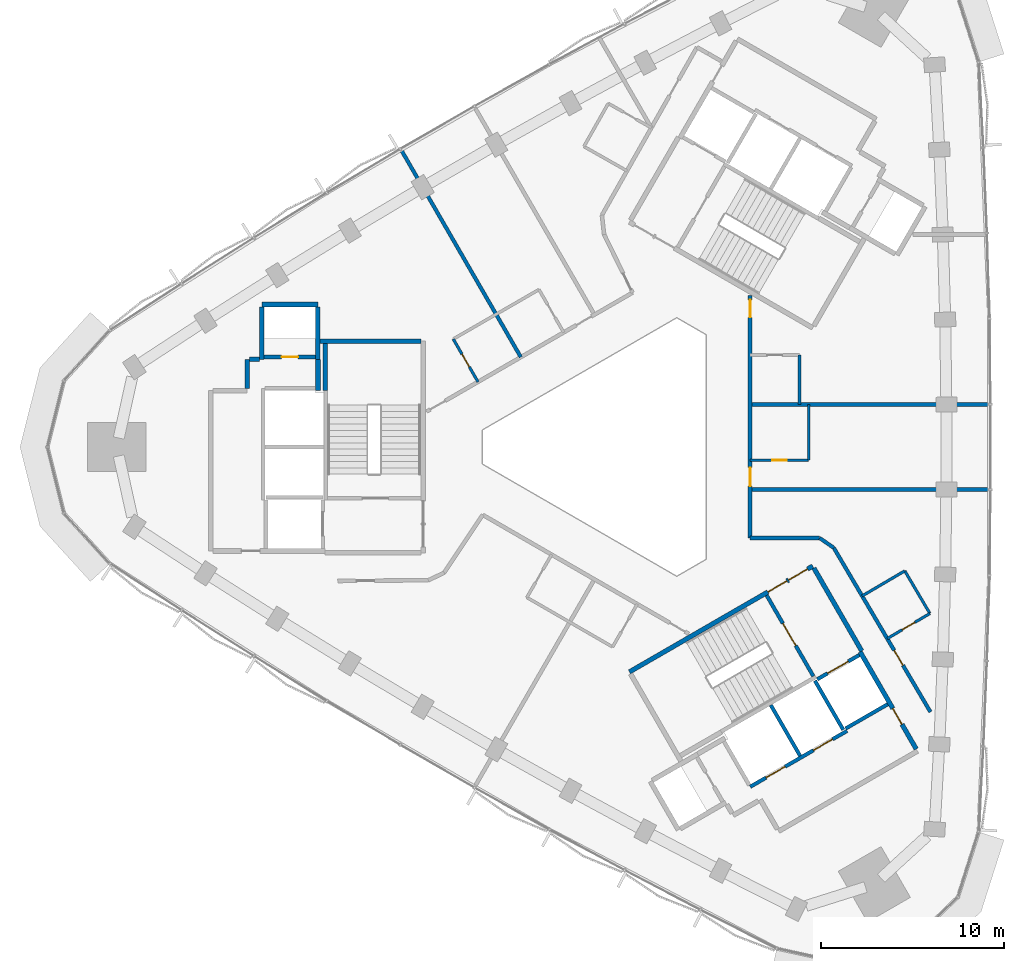
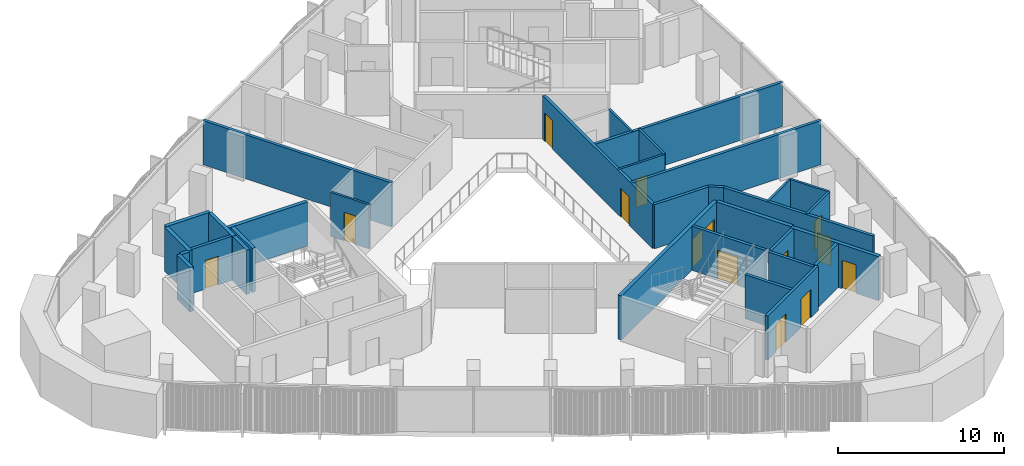
# One storey, part 8 of 13: 32 walls, 14 doors, 14 openings.
"""IFC4 building model written with IfcOpenShell, lengths in metres."""

from ifc_helpers import new_model, si_unit, direction, frame, frame_2d, origin, place, context, subcontext, project, spatial, rectangle, extrude, material, layer, layer_set, type_object, element, fill, save


model = new_model("IFC4")

# Units and contexts
model_context = context("Model", 3, precision=1e-05, world=origin(), true_north=direction((0.0, 1.0)))
body_context = subcontext(model_context, "Body", "Model", "MODEL_VIEW")
ifc_project = project(units=[si_unit("LENGTHUNIT", "METRE"), si_unit("AREAUNIT", "SQUARE_METRE"), si_unit("VOLUMEUNIT", "CUBIC_METRE"), si_unit("PLANEANGLEUNIT", "RADIAN"), si_unit("MASSUNIT", "GRAM", prefix="KILO")], contexts=[model_context])

# Site, building, storey
site_placement = place(None, origin())
site = spatial("IfcSite", under=ifc_project, at=site_placement, CompositionType="ELEMENT")
building_placement = place(site_placement, origin())
building = spatial("IfcBuilding", under=site, at=building_placement, Name="Tamra Quay Hotel Tower", CompositionType="ELEMENT")
storey_placement = place(building_placement, frame((0.0, 0.0, 193.60009765625)))
storey = spatial("IfcBuildingStorey", under=building, at=storey_placement, Name="L48", CompositionType="ELEMENT", Elevation=193.60009765625)

# Wall, opening, door
ifc_material_1 = material(Name="Concrete M70", Category="concrete")
ifc_layer_1 = layer(ifc_material_1, 0.199951171875)
ifc_layer_set_1 = layer_set([ifc_layer_1], Name="Concrete M70 core wall 200")
wall_type_1 = type_object("IfcWallType", Name="Concrete M70 core wall 200", PredefinedType="SHEAR", material=ifc_layer_set_1)
wall_1_placement = place(storey_placement, frame((-19.51123046875, 4.91015625, 0.0), z_axis=(0.0, 0.0, 1.0), x_axis=(1.0, 0.0, 0.0)))
wall_1 = element("IfcWall", 1, at=wall_1_placement, inside=storey, type_object=wall_type_1, Name="CW2", PredefinedType="SHEAR", context=body_context, shape_type="SweptSolid", body=[
    extrude(rectangle(XDim=2.7978515625, YDim=0.199951171875, at=frame_2d((1.39892578125, 0.0))), origin(), (0.0, 0.0, 1.0), 3.25),
])
opening_1_placement = place(wall_1_placement, frame((0.948974609375, 0.0, 0.0)))
opening_1 = element("IfcOpeningElement", 2, at=opening_1_placement, cuts=wall_1, Name="Opening D1", PredefinedType="OPENING", context=body_context, shape_type="SweptSolid", body=[
    extrude(rectangle(XDim=0.89990234375, YDim=2.10009765625, at=frame_2d((0.449951171875, 1.050048828125))), frame((0.0, 0.10986328125, 0.0), z_axis=(0.0, -1.0, 0.0), x_axis=(1.0, 0.0, 0.0)), (0.0, 0.0, 1.0), 0.219970703125),
])
ifc_material_2 = material(Name="Core door D1 900x2100 RH")
door_type_1 = type_object("IfcDoorType", Name="Core door D1 900x2100 RH", OperationType="NOTDEFINED", PredefinedType="DOOR", material=ifc_material_2)
door_1_placement = place(opening_1_placement, origin())
door_1 = element("IfcDoor", 3, at=door_1_placement, inside=storey, type_object=door_type_1, Name="D1", OperationType="SINGLE_SWING_RIGHT", OverallHeight=2.10009765625, OverallWidth=0.89990234375, PredefinedType="DOOR", context=body_context, shape_type="SweptSolid", body=[
    extrude(rectangle(XDim=0.89990234375, YDim=2.10009765625, at=frame_2d((0.449951171875, 1.050048828125))), frame((0.0, 0.02490234375, 0.0), z_axis=(0.0, -1.0, 0.0), x_axis=(1.0, 0.0, 0.0)), (0.0, 0.0, 1.0), 0.050048828125),
])
fill(opening_1, door_1)

# Wall, openings, doors
wall_2_placement = place(storey_placement, frame((7.009765625, -18.54150390625, 0.0), z_axis=(0.0, 0.0, 1.0), x_axis=(0.866030299012, 0.499991521122, 0.0)))
wall_2 = element("IfcWall", 4, at=wall_2_placement, inside=storey, type_object=wall_type_1, Name="CW2", PredefinedType="SHEAR", context=body_context, shape_type="SweptSolid", body=[
    extrude(rectangle(XDim=6.10009765625, YDim=0.199951171875, at=frame_2d((3.050048828125, 0.0))), origin(), (0.0, 0.0, 1.0), 3.25),
])
opening_2_placement = place(wall_2_placement, frame((1.0, 0.0, 0.0)))
opening_2 = element("IfcOpeningElement", 5, at=opening_2_placement, cuts=wall_2, Name="Opening LD", PredefinedType="OPENING", context=body_context, shape_type="SweptSolid", body=[
    extrude(rectangle(XDim=1.199951171875, YDim=2.10009765625, at=frame_2d((0.60009765625, 1.050048828125))), frame((0.0, 0.10986328125, 0.0), z_axis=(0.0, -1.0, 0.0), x_axis=(1.0, 0.0, 0.0)), (0.0, 0.0, 1.0), 0.219970703125),
])
opening_3_placement = place(wall_2_placement, frame((3.982177734375, 0.0, 0.0)))
opening_3 = element("IfcOpeningElement", 6, at=opening_3_placement, cuts=wall_2, Name="Opening LD", PredefinedType="OPENING", context=body_context, shape_type="SweptSolid", body=[
    extrude(rectangle(XDim=1.199951171875, YDim=2.10009765625, at=frame_2d((0.60009765625, 1.050048828125))), frame((0.0, 0.10986328125, 0.0), z_axis=(0.0, -1.0, 0.0), x_axis=(1.0, 0.0, 0.0)), (0.0, 0.0, 1.0), 0.219970703125),
])
ifc_material_3 = material(Name="Landing door LD 1200 double door sliding")
door_type_2 = type_object("IfcDoorType", Name="Landing door LD 1200 double door sliding", OperationType="DOUBLE_DOOR_SLIDING", PredefinedType="DOOR", material=ifc_material_3)
door_2_placement = place(opening_2_placement, origin())
door_2 = element("IfcDoor", 7, at=door_2_placement, inside=storey, type_object=door_type_2, Name="LD", OperationType="DOUBLE_DOOR_SLIDING", OverallHeight=2.10009765625, OverallWidth=1.199951171875, PredefinedType="DOOR", context=body_context, shape_type="SweptSolid", body=[
    extrude(rectangle(XDim=1.199951171875, YDim=2.10009765625, at=frame_2d((0.60009765625, 1.050048828125))), frame((0.0, 0.02490234375, 0.0), z_axis=(0.0, -1.0, 0.0), x_axis=(1.0, 0.0, 0.0)), (0.0, 0.0, 1.0), 0.050048828125),
])
fill(opening_2, door_2)
door_3_placement = place(opening_3_placement, origin())
door_3 = element("IfcDoor", 8, at=door_3_placement, inside=storey, type_object=door_type_2, Name="LD", OperationType="DOUBLE_DOOR_SLIDING", OverallHeight=2.10009765625, OverallWidth=1.199951171875, PredefinedType="DOOR", context=body_context, shape_type="SweptSolid", body=[
    extrude(rectangle(XDim=1.199951171875, YDim=2.10009765625, at=frame_2d((0.60009765625, 1.050048828125))), frame((0.0, 0.02490234375, 0.0), z_axis=(0.0, -1.0, 0.0), x_axis=(1.0, 0.0, 0.0)), (0.0, 0.0, 1.0), 0.050048828125),
])
fill(opening_3, door_3)

# Wall, opening, door
wall_3_placement = place(storey_placement, frame((7.906494140625, -8.094482421875, 0.0), z_axis=(0.0, 0.0, 1.0), x_axis=(0.500027839223, -0.866009330205, 0.0)))
wall_3 = element("IfcWall", 9, at=wall_3_placement, inside=storey, type_object=wall_type_1, Name="CW2", PredefinedType="SHEAR", context=body_context, shape_type="SweptSolid", body=[
    extrude(rectangle(XDim=5.097900390625, YDim=0.199951171875, at=frame_2d((2.548828125, 0.0))), origin(), (0.0, 0.0, 1.0), 3.25),
])
opening_4_placement = place(wall_3_placement, frame((1.77392578125, 0.0, 0.0)))
opening_4 = element("IfcOpeningElement", 10, at=opening_4_placement, cuts=wall_3, Name="Opening FD2", PredefinedType="OPENING", context=body_context, shape_type="SweptSolid", body=[
    extrude(rectangle(XDim=1.39990234375, YDim=2.10009765625, at=frame_2d((0.699951171875, 1.050048828125))), frame((0.0, 0.10986328125, 0.0), z_axis=(0.0, -1.0, 0.0), x_axis=(1.0, 0.0, 0.0)), (0.0, 0.0, 1.0), 0.219970703125),
])
ifc_material_4 = material(Name="Core door FD2 1400x2100 RH")
door_type_3 = type_object("IfcDoorType", Name="Core door FD2 1400x2100 RH", OperationType="NOTDEFINED", PredefinedType="DOOR", material=ifc_material_4)
door_4_placement = place(opening_4_placement, origin())
door_4 = element("IfcDoor", 11, at=door_4_placement, inside=storey, type_object=door_type_3, Name="FD2", OperationType="SINGLE_SWING_RIGHT", OverallHeight=2.10009765625, OverallWidth=1.39990234375, PredefinedType="DOOR", context=body_context, shape_type="SweptSolid", body=[
    extrude(rectangle(XDim=1.39990234375, YDim=2.10009765625, at=frame_2d((0.699951171875, 1.050048828125))), frame((0.0, 0.02490234375, 0.0), z_axis=(0.0, -1.0, 0.0), x_axis=(1.0, 0.0, 0.0)), (0.0, 0.0, 1.0), 0.050048828125),
])
fill(opening_4, door_4)

# Walls
wall_4_placement = place(storey_placement, frame((8.131591796875, -14.084228515625, 0.0), z_axis=(0.0, 0.0, 1.0), x_axis=(0.499997778408, -0.866026686418, 0.0)))
element("IfcWall", 12, at=wall_4_placement, inside=storey, type_object=wall_type_1, Name="CW2", PredefinedType="SHEAR", context=body_context, shape_type="SweptSolid", body=[
    extrude(rectangle(XDim=3.1982421875, YDim=0.199951171875, at=frame_2d((1.59912109375, 0.0))), origin(), (0.0, 0.0, 1.0), 3.25),
])
wall_5_placement = place(storey_placement, frame((12.087646484375, -15.4365234375, 0.0), z_axis=(0.0, 0.0, 1.0), x_axis=(-0.500026960575, 0.86600983753, 0.0)))
element("IfcWall", 13, at=wall_5_placement, inside=storey, type_object=wall_type_1, Name="CW2", PredefinedType="SHEAR", context=body_context, shape_type="SweptSolid", body=[
    extrude(rectangle(XDim=3.099853515625, YDim=0.199951171875, at=frame_2d((1.5498046875, 0.0))), origin(), (0.0, 0.0, 1.0), 3.25),
])

# Wall, opening, door
wall_6_placement = place(storey_placement, frame((10.666015625, -12.677734375, 0.0), z_axis=(0.0, 0.0, 1.0), x_axis=(0.866018407898, 0.500012117035, 0.0)))
wall_6 = element("IfcWall", 14, at=wall_6_placement, inside=storey, type_object=wall_type_1, Name="CW2", PredefinedType="SHEAR", context=body_context, shape_type="SweptSolid", body=[
    extrude(rectangle(XDim=2.65087890625, YDim=0.199951171875, at=frame_2d((1.325439453125, 0.0))), origin(), (0.0, 0.0, 1.0), 3.25),
])
opening_5_placement = place(wall_6_placement, frame((0.65185546875, 0.0, 0.0)))
opening_5 = element("IfcOpeningElement", 15, at=opening_5_placement, cuts=wall_6, Name="Opening LD", PredefinedType="OPENING", context=body_context, shape_type="SweptSolid", body=[
    extrude(rectangle(XDim=1.300048828125, YDim=2.10009765625, at=frame_2d((0.64990234375, 1.050048828125))), frame((0.0, 0.10986328125, 0.0), z_axis=(0.0, -1.0, 0.0), x_axis=(1.0, 0.0, 0.0)), (0.0, 0.0, 1.0), 0.219970703125),
])
ifc_material_5 = material(Name="Landing door LD 1300 sliding to right")
door_type_4 = type_object("IfcDoorType", Name="Landing door LD 1300 sliding to right", OperationType="NOTDEFINED", PredefinedType="DOOR", material=ifc_material_5)
door_5_placement = place(opening_5_placement, origin())
door_5 = element("IfcDoor", 16, at=door_5_placement, inside=storey, type_object=door_type_4, Name="LD", OperationType="SLIDING_TO_RIGHT", OverallHeight=2.10009765625, OverallWidth=1.300048828125, PredefinedType="DOOR", context=body_context, shape_type="SweptSolid", body=[
    extrude(rectangle(XDim=1.300048828125, YDim=2.10009765625, at=frame_2d((0.64990234375, 1.050048828125))), frame((0.0, 0.02490234375, 0.0), z_axis=(0.0, -1.0, 0.0), x_axis=(1.0, 0.0, 0.0)), (0.0, 0.0, 1.0), 0.050048828125),
])
fill(opening_5, door_5)

# Walls
wall_7_placement = place(storey_placement, frame((14.51171875, -14.037109375, 0.0), z_axis=(0.0, 0.0, 1.0), x_axis=(-0.866018407898, -0.500012117035, 0.0)))
element("IfcWall", 17, at=wall_7_placement, inside=storey, type_object=wall_type_1, Name="CW2", PredefinedType="SHEAR", context=body_context, shape_type="SweptSolid", body=[
    extrude(rectangle(XDim=2.65087890625, YDim=0.199951171875, at=frame_2d((1.325439453125, 0.0))), origin(), (0.0, 0.0, 1.0), 3.25),
])
ifc_layer_2 = layer(ifc_material_1, 0.25)
ifc_layer_set_2 = layer_set([ifc_layer_2], Name="Concrete M70 core wall 250")
wall_type_2 = type_object("IfcWallType", Name="Concrete M70 core wall 250", PredefinedType="SHEAR", material=ifc_layer_set_2)
wall_8_placement = place(storey_placement, frame((-16.47216796875, 5.77490234375, 0.0), z_axis=(0.0, 0.0, 1.0), x_axis=(1.0, 0.0, 0.0)))
element("IfcWall", 18, at=wall_8_placement, inside=storey, type_object=wall_type_2, Name="CW1", PredefinedType="SHEAR", context=body_context, shape_type="SweptSolid", body=[
    extrude(rectangle(XDim=5.509521484375, YDim=0.25, at=frame_2d((2.7548828125, 0.0))), origin(), (0.0, 0.0, 1.0), 3.25),
])
wall_9_placement = place(storey_placement, frame((-19.63720703125, 7.77490234375, 0.0), z_axis=(0.0, 0.0, 1.0), x_axis=(1.0, 0.0, 0.0)))
element("IfcWall", 19, at=wall_9_placement, inside=storey, type_object=wall_type_2, Name="CW1", PredefinedType="SHEAR", context=body_context, shape_type="SweptSolid", body=[
    extrude(rectangle(XDim=3.0498046875, YDim=0.25, at=frame_2d((1.52490234375, 0.0))), origin(), (0.0, 0.0, 1.0), 3.25),
])
for number, where, z_axis, x_axis, name in (
    (20, (-16.58740234375, 7.649658203125, 0.0), (0.0, 0.0, 1.0), (0.0, -1.0, 0.0), "CW1"),
    (21, (-19.63720703125, 4.784912109375, 0.0), (0.0, 0.0, 1.0), (0.0, 1.0, 0.0), "CW1"),
):
    element("IfcWall", number, at=place(storey_placement, frame(where, z_axis=z_axis, x_axis=x_axis)), inside=storey, type_object=wall_type_2, Name=name, PredefinedType="SHEAR", context=body_context, shape_type="SweptSolid", body=[
        extrude(rectangle(XDim=2.86474609375, YDim=0.25, at=frame_2d((1.432373046875, 0.0))), origin(), (0.0, 0.0, 1.0), 3.25),
    ])
wall_10_placement = place(storey_placement, frame((-16.187255859375, 3.074951171875, 0.0), z_axis=(0.0, 0.0, 1.0), x_axis=(0.0, 1.0, 0.0)))
element("IfcWall", 22, at=wall_10_placement, inside=storey, type_object=wall_type_2, Name="CW1", PredefinedType="SHEAR", context=body_context, shape_type="SweptSolid", body=[
    extrude(rectangle(XDim=2.57470703125, YDim=0.25, at=frame_2d((1.287353515625, 0.0))), origin(), (0.0, 0.0, 1.0), 3.25),
])
wall_11_placement = place(storey_placement, frame((-16.577392578125, 4.784912109375, 0.0), z_axis=(0.0, 0.0, 1.0), x_axis=(0.0, -1.0, 0.0)))
element("IfcWall", 23, at=wall_11_placement, inside=storey, type_object=wall_type_2, Name="CW1", PredefinedType="SHEAR", context=body_context, shape_type="SweptSolid", body=[
    extrude(rectangle(XDim=1.7099609375, YDim=0.25, at=frame_2d((0.85498046875, 0.0))), origin(), (0.0, 0.0, 1.0), 3.25),
])
wall_12_placement = place(storey_placement, frame((-20.447265625, 3.200439453125, 0.0), z_axis=(0.0, 0.0, 1.0), x_axis=(0.0, 1.0, 0.0)))
element("IfcWall", 24, at=wall_12_placement, inside=storey, type_object=wall_type_2, Name="CW1", PredefinedType="SHEAR", context=body_context, shape_type="SweptSolid", body=[
    extrude(rectangle(XDim=1.58447265625, YDim=0.25, at=frame_2d((0.792236328125, 0.0))), origin(), (0.0, 0.0, 1.0), 3.25),
])
wall_13_placement = place(storey_placement, frame((-20.32177734375, 4.784912109375, 0.0), z_axis=(0.0, 0.0, 1.0), x_axis=(1.0, 0.0, 0.0)))
element("IfcWall", 25, at=wall_13_placement, inside=storey, type_object=wall_type_2, Name="CW1", PredefinedType="SHEAR", context=body_context, shape_type="SweptSolid", body=[
    extrude(rectangle(XDim=0.55908203125, YDim=0.25, at=frame_2d((0.279541015625, 0.0))), origin(), (0.0, 0.0, 1.0), 3.25),
])

# Wall, openings, doors
wall_14_placement = place(storey_placement, frame((0.417236328125, -12.27294921875, 0.0), z_axis=(0.0, 0.0, 1.0), x_axis=(0.866021906294, 0.500006057782, 0.0)))
wall_14 = element("IfcWall", 26, at=wall_14_placement, inside=storey, type_object=wall_type_2, Name="CW1", PredefinedType="SHEAR", context=body_context, shape_type="SweptSolid", body=[
    extrude(rectangle(XDim=11.550048828125, YDim=0.25, at=frame_2d((5.77490234375, 0.0))), origin(), (0.0, 0.0, 1.0), 3.25),
])
opening_6_placement = place(wall_14_placement, frame((10.024658203125, 0.0, 0.0)))
opening_6 = element("IfcOpeningElement", 27, at=opening_6_placement, cuts=wall_14, Name="Opening FD1", PredefinedType="OPENING", context=body_context, shape_type="SweptSolid", body=[
    extrude(rectangle(XDim=1.199951171875, YDim=2.10009765625, at=frame_2d((0.60009765625, 1.050048828125))), frame((0.0, 0.135009765625, 0.0), z_axis=(0.0, -1.0, 0.0), x_axis=(1.0, 0.0, 0.0)), (0.0, 0.0, 1.0), 0.27001953125),
])
opening_7_placement = place(wall_14_placement, frame((8.724609375, 0.0, 0.0)))
opening_7 = element("IfcOpeningElement", 28, at=opening_7_placement, cuts=wall_14, Name="Opening FD1", PredefinedType="OPENING", context=body_context, shape_type="SweptSolid", body=[
    extrude(rectangle(XDim=1.199951171875, YDim=2.10009765625, at=frame_2d((0.60009765625, 1.050048828125))), frame((0.0, 0.135009765625, 0.0), z_axis=(0.0, -1.0, 0.0), x_axis=(1.0, 0.0, 0.0)), (0.0, 0.0, 1.0), 0.27001953125),
])
ifc_material_6 = material(Name="Core door FD1 1200x2100 LH")
door_type_5 = type_object("IfcDoorType", Name="Core door FD1 1200x2100 LH", OperationType="NOTDEFINED", PredefinedType="DOOR", material=ifc_material_6)
door_6_placement = place(opening_6_placement, origin())
door_6 = element("IfcDoor", 29, at=door_6_placement, inside=storey, type_object=door_type_5, Name="FD1", OperationType="SINGLE_SWING_LEFT", OverallHeight=2.10009765625, OverallWidth=1.199951171875, PredefinedType="DOOR", context=body_context, shape_type="SweptSolid", body=[
    extrude(rectangle(XDim=1.199951171875, YDim=2.10009765625, at=frame_2d((0.60009765625, 1.050048828125))), frame((0.0, 0.02490234375, 0.0), z_axis=(0.0, -1.0, 0.0), x_axis=(1.0, 0.0, 0.0)), (0.0, 0.0, 1.0), 0.050048828125),
])
fill(opening_6, door_6)
ifc_material_7 = material(Name="Core door FD1 1200x2100 RH")
door_type_6 = type_object("IfcDoorType", Name="Core door FD1 1200x2100 RH", OperationType="NOTDEFINED", PredefinedType="DOOR", material=ifc_material_7)
door_7_placement = place(opening_7_placement, origin())
door_7 = element("IfcDoor", 30, at=door_7_placement, inside=storey, type_object=door_type_6, Name="FD1", OperationType="SINGLE_SWING_RIGHT", OverallHeight=2.10009765625, OverallWidth=1.199951171875, PredefinedType="DOOR", context=body_context, shape_type="SweptSolid", body=[
    extrude(rectangle(XDim=1.199951171875, YDim=2.10009765625, at=frame_2d((0.60009765625, 1.050048828125))), frame((0.0, 0.02490234375, 0.0), z_axis=(0.0, -1.0, 0.0), x_axis=(1.0, 0.0, 0.0)), (0.0, 0.0, 1.0), 0.050048828125),
])
fill(opening_7, door_7)

# Wall, opening, door
wall_15_placement = place(storey_placement, frame((13.00830078125, -11.18115234375, 0.0), z_axis=(0.0, 0.0, 1.0), x_axis=(0.500001955336, -0.866024274868, 0.0)))
wall_15 = element("IfcWall", 31, at=wall_15_placement, inside=storey, type_object=wall_type_2, Name="CW1", PredefinedType="SHEAR", context=body_context, shape_type="SweptSolid", body=[
    extrude(rectangle(XDim=6.12451171875, YDim=0.25, at=frame_2d((3.062255859375, 0.0))), origin(), (0.0, 0.0, 1.0), 3.25),
])
opening_8_placement = place(wall_15_placement, frame((3.562744140625, 0.0, 0.0)))
opening_8 = element("IfcOpeningElement", 32, at=opening_8_placement, cuts=wall_15, Name="Opening FD3", PredefinedType="OPENING", context=body_context, shape_type="SweptSolid", body=[
    extrude(rectangle(XDim=1.0, YDim=2.10009765625, at=frame_2d((0.5, 1.050048828125))), frame((0.0, 0.135009765625, 0.0), z_axis=(0.0, -1.0, 0.0), x_axis=(1.0, 0.0, 0.0)), (0.0, 0.0, 1.0), 0.27001953125),
])
ifc_material_8 = material(Name="Core door FD3 1000x2100 LH")
door_type_7 = type_object("IfcDoorType", Name="Core door FD3 1000x2100 LH", OperationType="NOTDEFINED", PredefinedType="DOOR", material=ifc_material_8)
door_8_placement = place(opening_8_placement, origin())
door_8 = element("IfcDoor", 33, at=door_8_placement, inside=storey, type_object=door_type_7, Name="FD3", OperationType="SINGLE_SWING_LEFT", OverallHeight=2.10009765625, OverallWidth=1.0, PredefinedType="DOOR", context=body_context, shape_type="SweptSolid", body=[
    extrude(rectangle(XDim=1.0, YDim=2.10009765625, at=frame_2d((0.5, 1.050048828125))), frame((0.0, 0.02490234375, 0.0), z_axis=(0.0, -1.0, 0.0), x_axis=(1.0, 0.0, 0.0)), (0.0, 0.0, 1.0), 0.050048828125),
])
fill(opening_8, door_8)

# Wall
wall_16_placement = place(storey_placement, frame((10.482666015625, -6.6064453125, 0.0), z_axis=(0.0, 0.0, 1.0), x_axis=(0.49999885962, -0.866026062182, 0.0)))
element("IfcWall", 34, at=wall_16_placement, inside=storey, type_object=wall_type_2, Name="CW1", PredefinedType="SHEAR", context=body_context, shape_type="SweptSolid", body=[
    extrude(rectangle(XDim=5.224609375, YDim=0.25, at=frame_2d((2.6123046875, 0.0))), origin(), (0.0, 0.0, 1.0), 3.25),
])

# Wall, openings, doors
ifc_material_9 = material(Name="Partition corridor wall")
ifc_layer_3 = layer(ifc_material_9, 0.199951171875)
ifc_layer_set_3 = layer_set([ifc_layer_3], Name="Partition corridor wall")
wall_type_3 = type_object("IfcWallType", Name="Partition corridor wall", PredefinedType="PARTITIONING", material=ifc_layer_set_3)
wall_17_placement = place(storey_placement, frame((7.0, -4.966064453125, 0.0), z_axis=(0.0, 0.0, 1.0), x_axis=(0.0, 1.0, 0.0)))
wall_17 = element("IfcWall", 35, at=wall_17_placement, inside=storey, type_object=wall_type_3, Name="W-C", PredefinedType="PARTITIONING", context=body_context, shape_type="SweptSolid", body=[
    extrude(rectangle(XDim=13.224853515625, YDim=0.199951171875, at=frame_2d((6.6123046875, 0.0))), origin(), (0.0, 0.0, 1.0), 3.25),
])
opening_9_placement = place(wall_17_placement, frame((2.8349609375, 0.0, 0.0)))
opening_9 = element("IfcOpeningElement", 36, at=opening_9_placement, cuts=wall_17, Name="Opening L48-D003", PredefinedType="OPENING", context=body_context, shape_type="SweptSolid", body=[
    extrude(rectangle(XDim=1.0, YDim=2.10009765625, at=frame_2d((0.5, 1.050048828125))), frame((0.0, 0.10986328125, 0.0), z_axis=(0.0, -1.0, 0.0), x_axis=(1.0, 0.0, 0.0)), (0.0, 0.0, 1.0), 0.219970703125),
])
opening_10_placement = place(wall_17_placement, frame((12.04541015625, 0.0, 0.0)))
opening_10 = element("IfcOpeningElement", 37, at=opening_10_placement, cuts=wall_17, Name="Opening L48-D005", PredefinedType="OPENING", context=body_context, shape_type="SweptSolid", body=[
    extrude(rectangle(XDim=0.949951171875, YDim=2.10009765625, at=frame_2d((0.47509765625, 1.050048828125))), frame((0.0, 0.10986328125, 0.0), z_axis=(0.0, -1.0, 0.0), x_axis=(1.0, 0.0, 0.0)), (0.0, 0.0, 1.0), 0.219970703125),
])
ifc_material_10 = material(Name="Door guest room 1000x2100")
door_type_8 = type_object("IfcDoorType", Name="Door guest room 1000x2100", OperationType="NOTDEFINED", PredefinedType="DOOR", material=ifc_material_10)
door_9_placement = place(opening_9_placement, frame((1.0, 0.0, 0.0), z_axis=(0.0, 0.0, 1.0), x_axis=(-1.0, 0.0, 0.0)))
door_9 = element("IfcDoor", 38, at=door_9_placement, inside=storey, type_object=door_type_8, Name="L48-D003", OperationType="SINGLE_SWING_LEFT", OverallHeight=2.10009765625, OverallWidth=1.0, PredefinedType="DOOR", context=body_context, shape_type="SweptSolid", body=[
    extrude(rectangle(XDim=1.0, YDim=2.10009765625, at=frame_2d((0.5, 1.050048828125))), frame((0.0, 0.02490234375, 0.0), z_axis=(0.0, -1.0, 0.0), x_axis=(1.0, 0.0, 0.0)), (0.0, 0.0, 1.0), 0.050048828125),
])
fill(opening_9, door_9)
ifc_material_11 = material(Name="Door guest room 950x2100")
door_type_9 = type_object("IfcDoorType", Name="Door guest room 950x2100", OperationType="NOTDEFINED", PredefinedType="DOOR", material=ifc_material_11)
door_10_placement = place(opening_10_placement, frame((0.949951171875, 0.0, 0.0), z_axis=(0.0, 0.0, 1.0), x_axis=(-1.0, 0.0, 0.0)))
door_10 = element("IfcDoor", 39, at=door_10_placement, inside=storey, type_object=door_type_9, Name="L48-D005", OperationType="SINGLE_SWING_LEFT", OverallHeight=2.10009765625, OverallWidth=0.949951171875, PredefinedType="DOOR", context=body_context, shape_type="SweptSolid", body=[
    extrude(rectangle(XDim=0.949951171875, YDim=2.10009765625, at=frame_2d((0.47509765625, 1.050048828125))), frame((0.0, 0.02490234375, 0.0), z_axis=(0.0, -1.0, 0.0), x_axis=(1.0, 0.0, 0.0)), (0.0, 0.0, 1.0), 0.050048828125),
])
fill(opening_10, door_10)

# Walls
wall_18_placement = place(storey_placement, frame((7.0, -4.966064453125, 0.0), z_axis=(0.0, 0.0, 1.0), x_axis=(1.0, 0.0, 0.0)))
element("IfcWall", 40, at=wall_18_placement, inside=storey, type_object=wall_type_3, Name="W-C", PredefinedType="PARTITIONING", context=body_context, shape_type="SweptSolid", body=[
    extrude(rectangle(XDim=3.79296875, YDim=0.199951171875, at=frame_2d((1.896484375, 0.0))), origin(), (0.0, 0.0, 1.0), 3.25),
])
wall_19_placement = place(storey_placement, frame((10.7939453125, -4.966064453125, 0.0), z_axis=(0.0, 0.0, 1.0), x_axis=(0.822266583859, -0.569102508401, 0.0)))
element("IfcWall", 41, at=wall_19_placement, inside=storey, type_object=wall_type_3, Name="W-C", PredefinedType="PARTITIONING", context=body_context, shape_type="SweptSolid", body=[
    extrude(rectangle(XDim=0.945068359375, YDim=0.199951171875, at=frame_2d((0.47265625, 0.0))), origin(), (0.0, 0.0, 1.0), 3.25),
])

# Wall, opening, door
wall_20_placement = place(storey_placement, frame((11.571044921875, -5.5048828125, 0.0), z_axis=(0.0, 0.0, 1.0), x_axis=(0.507402039651, -0.861709446483, 0.0)))
wall_20 = element("IfcWall", 42, at=wall_20_placement, inside=storey, type_object=wall_type_3, Name="W-C", PredefinedType="PARTITIONING", context=body_context, shape_type="SweptSolid", body=[
    extrude(rectangle(XDim=10.39111328125, YDim=0.199951171875, at=frame_2d((5.195556640625, 0.0))), origin(), (0.0, 0.0, 1.0), 3.25),
])
opening_11_placement = place(wall_20_placement, frame((6.4912109375, 0.0, 0.0)))
opening_11 = element("IfcOpeningElement", 43, at=opening_11_placement, cuts=wall_20, Name="Opening L48-D001", PredefinedType="OPENING", context=body_context, shape_type="SweptSolid", body=[
    extrude(rectangle(XDim=0.949951171875, YDim=2.10009765625, at=frame_2d((0.47509765625, 1.050048828125))), frame((0.0, 0.10986328125, 0.0), z_axis=(0.0, -1.0, 0.0), x_axis=(1.0, 0.0, 0.0)), (0.0, 0.0, 1.0), 0.219970703125),
])
door_11_placement = place(opening_11_placement, origin())
door_11 = element("IfcDoor", 44, at=door_11_placement, inside=storey, type_object=door_type_9, Name="L48-D001", OperationType="SINGLE_SWING_LEFT", OverallHeight=2.10009765625, OverallWidth=0.949951171875, PredefinedType="DOOR", context=body_context, shape_type="SweptSolid", body=[
    extrude(rectangle(XDim=0.949951171875, YDim=2.10009765625, at=frame_2d((0.47509765625, 1.050048828125))), frame((0.0, 0.02490234375, 0.0), z_axis=(0.0, -1.0, 0.0), x_axis=(1.0, 0.0, 0.0)), (0.0, 0.0, 1.0), 0.050048828125),
])
fill(opening_11, door_11)

ifc_material_12 = material(Name="Partition en-suite wall")
ifc_layer_4 = layer(ifc_material_12, 0.14990234375)
ifc_layer_set_4 = layer_set([ifc_layer_4], Name="Partition en-suite wall")
wall_type_4 = type_object("IfcWallType", Name="Partition en-suite wall", PredefinedType="PARTITIONING", material=ifc_layer_set_4)
wall_21_placement = place(storey_placement, frame((-9.195068359375, 5.888916015625, 0.0), z_axis=(0.0, 0.0, 1.0), x_axis=(0.500129820725, -0.865950438779, 0.0)))
wall_21 = element("IfcWall", 45, at=wall_21_placement, inside=storey, type_object=wall_type_4, Name="W-E", PredefinedType="PARTITIONING", context=body_context, shape_type="SweptSolid", body=[
    extrude(rectangle(XDim=2.697509765625, YDim=0.14990234375, at=frame_2d((1.3486328125, 0.0))), origin(), (0.0, 0.0, 1.0), 3.25),
])
opening_12_placement = place(wall_21_placement, frame((0.947509765625, 0.0, 0.0)))
opening_12 = element("IfcOpeningElement", 46, at=opening_12_placement, cuts=wall_21, Name="Opening L48-D017", PredefinedType="OPENING", context=body_context, shape_type="SweptSolid", body=[
    extrude(rectangle(XDim=0.800048828125, YDim=2.10009765625, at=frame_2d((0.39990234375, 1.050048828125))), frame((0.0, 0.0849609375, 0.0), z_axis=(0.0, -1.0, 0.0), x_axis=(1.0, 0.0, 0.0)), (0.0, 0.0, 1.0), 0.169921875),
])
ifc_material_13 = material(Name="Door en-suite 800x2100")
door_type_10 = type_object("IfcDoorType", Name="Door en-suite 800x2100", OperationType="NOTDEFINED", PredefinedType="DOOR", material=ifc_material_13)
door_12_placement = place(opening_12_placement, frame((0.800048828125, 0.0, 0.0), z_axis=(0.0, 0.0, 1.0), x_axis=(-1.0, 0.0, 0.0)))
door_12 = element("IfcDoor", 47, at=door_12_placement, inside=storey, type_object=door_type_10, Name="L48-D017", OperationType="SINGLE_SWING_LEFT", OverallHeight=2.10009765625, OverallWidth=0.800048828125, PredefinedType="DOOR", context=body_context, shape_type="SweptSolid", body=[
    extrude(rectangle(XDim=0.800048828125, YDim=2.10009765625, at=frame_2d((0.39990234375, 1.050048828125))), frame((0.0, 0.02490234375, 0.0), z_axis=(0.0, -1.0, 0.0), x_axis=(1.0, 0.0, 0.0)), (0.0, 0.0, 1.0), 0.050048828125),
])
fill(opening_12, door_12)

wall_22_placement = place(storey_placement, frame((7.0, -0.718994140625, 0.0), z_axis=(0.0, 0.0, 1.0), x_axis=(1.0, 0.0, 0.0)))
wall_22 = element("IfcWall", 48, at=wall_22_placement, inside=storey, type_object=wall_type_4, Name="W-E", PredefinedType="PARTITIONING", context=body_context, shape_type="SweptSolid", body=[
    extrude(rectangle(XDim=3.199951171875, YDim=0.14990234375, at=frame_2d((1.60009765625, 0.0))), origin(), (0.0, 0.0, 1.0), 3.25),
])
opening_13_placement = place(wall_22_placement, frame((1.199951171875, 0.0, 0.0)))
opening_13 = element("IfcOpeningElement", 49, at=opening_13_placement, cuts=wall_22, Name="Opening L48-D004", PredefinedType="OPENING", context=body_context, shape_type="SweptSolid", body=[
    extrude(rectangle(XDim=0.800048828125, YDim=2.10009765625, at=frame_2d((0.39990234375, 1.050048828125))), frame((0.0, 0.0849609375, 0.0), z_axis=(0.0, -1.0, 0.0), x_axis=(1.0, 0.0, 0.0)), (0.0, 0.0, 1.0), 0.169921875),
])
door_13_placement = place(opening_13_placement, origin())
door_13 = element("IfcDoor", 50, at=door_13_placement, inside=storey, type_object=door_type_10, Name="L48-D004", OperationType="SINGLE_SWING_LEFT", OverallHeight=2.10009765625, OverallWidth=0.800048828125, PredefinedType="DOOR", context=body_context, shape_type="SweptSolid", body=[
    extrude(rectangle(XDim=0.800048828125, YDim=2.10009765625, at=frame_2d((0.39990234375, 1.050048828125))), frame((0.0, 0.02490234375, 0.0), z_axis=(0.0, -1.0, 0.0), x_axis=(1.0, 0.0, 0.0)), (0.0, 0.0, 1.0), 0.050048828125),
])
fill(opening_13, door_13)

# Walls
wall_23_placement = place(storey_placement, frame((9.699951171875, 2.319091796875, 0.0), z_axis=(0.0, 0.0, 1.0), x_axis=(0.0, 1.0, 0.0)))
element("IfcWall", 51, at=wall_23_placement, inside=storey, type_object=wall_type_4, Name="W-E", PredefinedType="PARTITIONING", context=body_context, shape_type="SweptSolid", body=[
    extrude(rectangle(XDim=2.699951171875, YDim=0.14990234375, at=frame_2d((1.35009765625, 0.0))), origin(), (0.0, 0.0, 1.0), 3.25),
])
wall_24_placement = place(storey_placement, frame((10.199951171875, -0.718994140625, 0.0), z_axis=(0.0, 0.0, 1.0), x_axis=(0.0, 1.0, 0.0)))
element("IfcWall", 52, at=wall_24_placement, inside=storey, type_object=wall_type_4, Name="W-E", PredefinedType="PARTITIONING", context=body_context, shape_type="SweptSolid", body=[
    extrude(rectangle(XDim=3.0380859375, YDim=0.14990234375, at=frame_2d((1.51904296875, 0.0))), origin(), (0.0, 0.0, 1.0), 3.25),
])
wall_25_placement = place(storey_placement, frame((13.115966796875, -8.12890625, 0.0), z_axis=(0.0, 0.0, 1.0), x_axis=(0.861885352062, 0.507103184669, 0.0)))
element("IfcWall", 53, at=wall_25_placement, inside=storey, type_object=wall_type_4, Name="W-E", PredefinedType="PARTITIONING", context=body_context, shape_type="SweptSolid", body=[
    extrude(rectangle(XDim=2.697509765625, YDim=0.14990234375, at=frame_2d((1.3486328125, 0.0))), origin(), (0.0, 0.0, 1.0), 3.25),
])

# Wall, opening, door
wall_26_placement = place(storey_placement, frame((14.487060546875, -10.455078125, 0.0), z_axis=(0.0, 0.0, 1.0), x_axis=(0.861752634979, 0.507328686461, 0.0)))
wall_26 = element("IfcWall", 54, at=wall_26_placement, inside=storey, type_object=wall_type_4, Name="W-E", PredefinedType="PARTITIONING", context=body_context, shape_type="SweptSolid", body=[
    extrude(rectangle(XDim=2.69677734375, YDim=0.14990234375, at=frame_2d((1.348388671875, 0.0))), origin(), (0.0, 0.0, 1.0), 3.25),
])
opening_14_placement = place(wall_26_placement, frame((0.948486328125, 0.0, 0.0)))
opening_14 = element("IfcOpeningElement", 55, at=opening_14_placement, cuts=wall_26, Name="Opening L48-D002", PredefinedType="OPENING", context=body_context, shape_type="SweptSolid", body=[
    extrude(rectangle(XDim=0.800048828125, YDim=2.10009765625, at=frame_2d((0.39990234375, 1.050048828125))), frame((0.0, 0.0849609375, 0.0), z_axis=(0.0, -1.0, 0.0), x_axis=(1.0, 0.0, 0.0)), (0.0, 0.0, 1.0), 0.169921875),
])
door_14_placement = place(opening_14_placement, frame((0.800048828125, 0.0, 0.0), z_axis=(0.0, 0.0, 1.0), x_axis=(-1.0, 0.0, 0.0)))
door_14 = element("IfcDoor", 56, at=door_14_placement, inside=storey, type_object=door_type_10, Name="L48-D002", OperationType="SINGLE_SWING_LEFT", OverallHeight=2.10009765625, OverallWidth=0.800048828125, PredefinedType="DOOR", context=body_context, shape_type="SweptSolid", body=[
    extrude(rectangle(XDim=0.800048828125, YDim=2.10009765625, at=frame_2d((0.39990234375, 1.050048828125))), frame((0.0, 0.02490234375, 0.0), z_axis=(0.0, -1.0, 0.0), x_axis=(1.0, 0.0, 0.0)), (0.0, 0.0, 1.0), 0.050048828125),
])
fill(opening_14, door_14)

# Walls
wall_27_placement = place(storey_placement, frame((15.444091796875, -6.761962890625, 0.0), z_axis=(0.0, 0.0, 1.0), x_axis=(0.507578234334, -0.861605673165, 0.0)))
element("IfcWall", 57, at=wall_27_placement, inside=storey, type_object=wall_type_4, Name="W-E", PredefinedType="PARTITIONING", context=body_context, shape_type="SweptSolid", body=[
    extrude(rectangle(XDim=2.695068359375, YDim=0.14990234375, at=frame_2d((1.34765625, 0.0))), origin(), (0.0, 0.0, 1.0), 3.25),
])
ifc_material_14 = material(Name="Partition party wall")
ifc_layer_5 = layer(ifc_material_14, 0.199951171875)
ifc_layer_set_5 = layer_set([ifc_layer_5], Name="Partition party wall")
wall_type_5 = type_object("IfcWallType", Name="Partition party wall", PredefinedType="PARTITIONING", material=ifc_layer_set_5)
for number, where, z_axis, x_axis, name in (
    (58, (-12.0673828125, 16.263427734375, 0.0), (0.0, 0.0, 1.0), (0.500016190239, -0.866016056144, 0.0), "W-P"),
    (59, (7.0, 2.319091796875, 0.0), (0.0, 0.0, 1.0), (1.0, 0.0, 0.0), "W-P"),
):
    element("IfcWall", number, at=place(storey_placement, frame(where, z_axis=z_axis, x_axis=x_axis)), inside=storey, type_object=wall_type_5, Name=name, PredefinedType="PARTITIONING", context=body_context, shape_type="SweptSolid", body=[
        extrude(rectangle(XDim=13.1181640625, YDim=0.199951171875, at=frame_2d((6.55908203125, 0.0))), origin(), (0.0, 0.0, 1.0), 3.25),
    ])
wall_28_placement = place(storey_placement, frame((7.0009765625, -2.319091796875, 0.0), z_axis=(0.0, 0.0, 1.0), x_axis=(1.0, 0.0, 0.0)))
element("IfcWall", 60, at=wall_28_placement, inside=storey, type_object=wall_type_5, Name="W-P", PredefinedType="PARTITIONING", context=body_context, shape_type="SweptSolid", body=[
    extrude(rectangle(XDim=13.1171875, YDim=0.199951171875, at=frame_2d((6.55859375, 0.0))), origin(), (0.0, 0.0, 1.0), 3.25),
])

save(model, "model.ifc")
